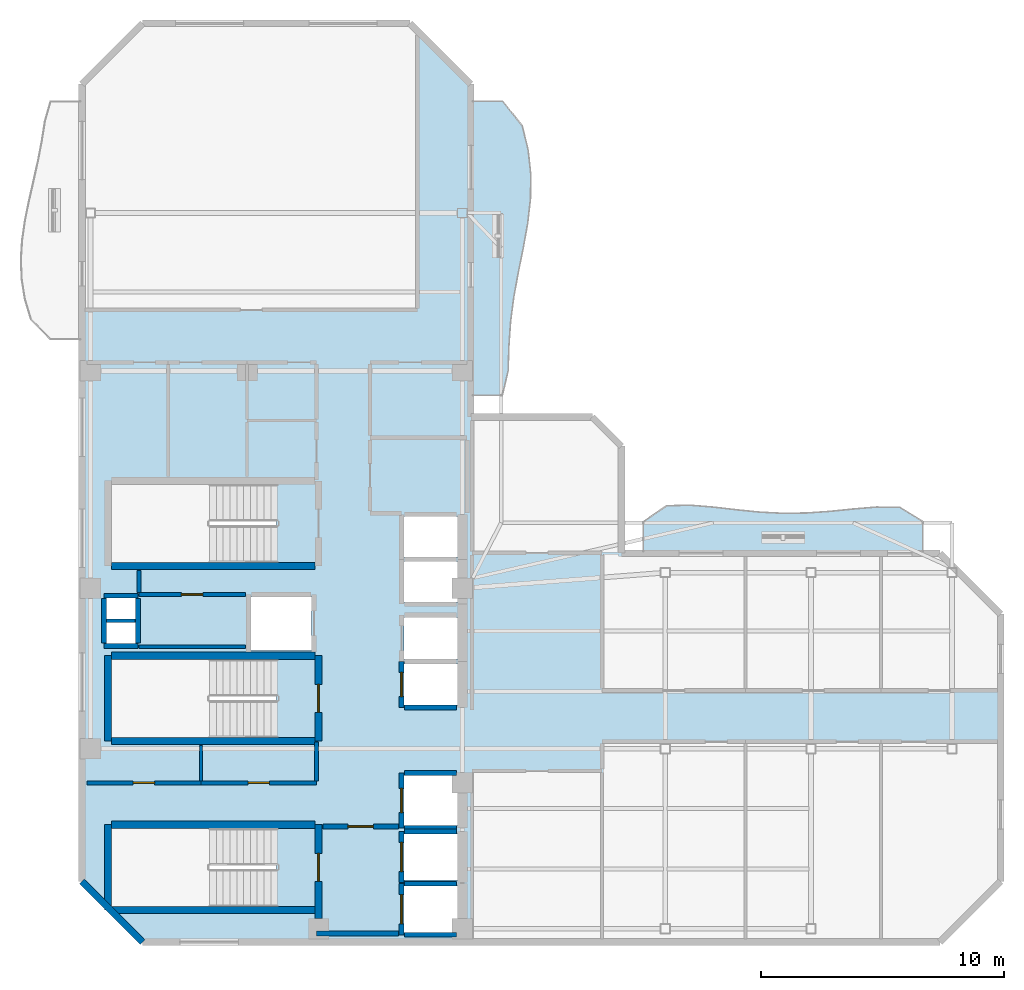
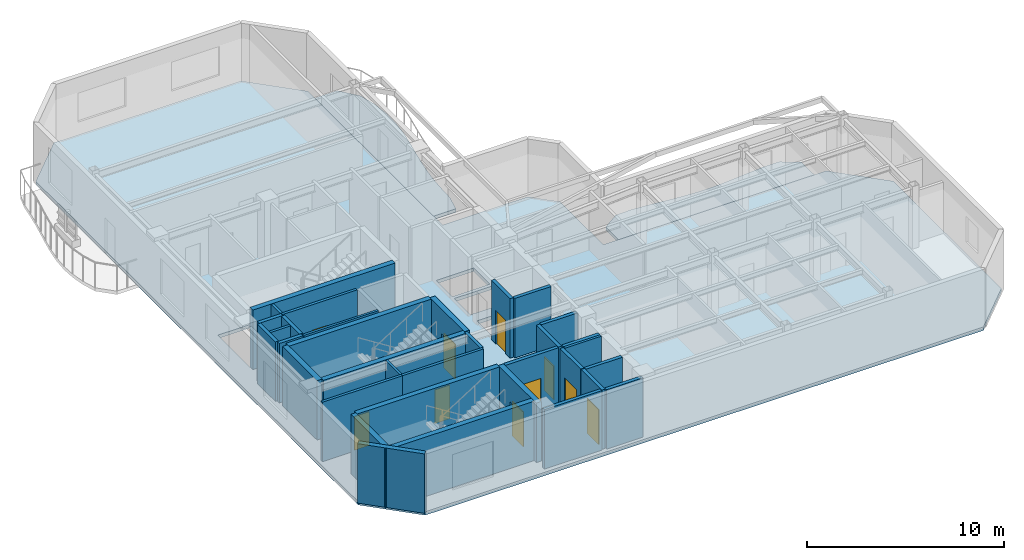
# One storey, part 2 of 7: 34 walls, 10 doors, 3 slabs, 10 openings.
"""IFC4 building model written with IfcOpenShell, lengths in metres."""

from ifc_helpers import new_model, si_unit, direction, frame, frame_2d, origin, place, context, subcontext, project, spatial, polyline, rectangle, outline, extrude, material, layer, layer_set, type_object, element, fill, save


model = new_model("IFC4")

# Units and contexts
model_context = context("Model", 3, precision=1e-05, world=origin(), true_north=direction((0.0, 1.0)))
body_context = subcontext(model_context, "Body", "Model", "MODEL_VIEW")
ifc_project = project(units=[si_unit("LENGTHUNIT", "METRE"), si_unit("AREAUNIT", "SQUARE_METRE"), si_unit("VOLUMEUNIT", "CUBIC_METRE"), si_unit("PLANEANGLEUNIT", "RADIAN"), si_unit("MASSUNIT", "GRAM", prefix="KILO")], contexts=[model_context])

# Site, building, storey
site_placement = place(None, origin())
site = spatial("IfcSite", under=ifc_project, at=site_placement, CompositionType="ELEMENT")
building_placement = place(site_placement, origin())
building = spatial("IfcBuilding", under=site, at=building_placement, Name="Mawjaban Terraces University", CompositionType="ELEMENT")
storey_placement = place(building_placement, frame((0.0, 0.0, 287.199951171875)))
storey = spatial("IfcBuildingStorey", under=building, at=storey_placement, Name="L70", CompositionType="ELEMENT", Elevation=287.199951171875)

# Slabs
ifc_material_1 = material(Name="Concrete C40/50", Category="concrete")
ifc_layer_1 = layer(ifc_material_1, 0.2099609375)
ifc_layer_set_1 = layer_set([ifc_layer_1], Name="Concrete C40/50")
slab_type_1 = type_object("IfcSlabType", Name="BalconySlab_210_Ext", PredefinedType="FLOOR", material=ifc_layer_set_1)
slab_1_placement = place(storey_placement, frame((0.0, 0.0, -0.2099609375)))
element("IfcSlab", 1, at=slab_1_placement, inside=storey, type_object=slab_type_1, Name="L70 Planted Balcony Slab inner_north", PredefinedType="FLOOR", context=body_context, shape_type="SweptSolid", body=[
    extrude(outline(polyline([(45.10009765625, 15.989990234375), (56.60009765625, 15.989990234375), (56.60009765625, 17.300048828125), (55.64208984375, 17.89208984375), (54.68310546875, 17.89697265625), (53.72509765625, 17.81689453125), (52.76708984375, 17.719970703125), (51.80810546875, 17.653076171875), (50.85009765625, 17.639892578125), (49.89208984375, 17.68896484375), (48.93310546875, 17.784912109375), (47.97509765625, 17.89599609375), (47.01708984375, 17.97509765625), (46.05810546875, 17.950927734375), (45.10009765625, 17.300048828125), (45.10009765625, 15.989990234375)])), origin(), (0.0, 0.0, 1.0), 0.2099609375),
])
slab_2_placement = place(storey_placement, frame((0.0, 0.0, -0.2099609375)))
element("IfcSlab", 2, at=slab_2_placement, inside=storey, type_object=slab_type_1, Name="L70 Planted Balcony Slab inner_east", PredefinedType="FLOOR", context=body_context, shape_type="SweptSolid", body=[
    extrude(outline(polyline([(39.300048828125, 22.5), (39.533935546875, 23.508056640625), (39.56494140625, 24.51708984375), (39.635009765625, 25.52490234375), (39.76611328125, 26.532958984375), (39.949951171875, 27.5419921875), (40.154052734375, 28.550048828125), (40.3359375, 29.55810546875), (40.451904296875, 30.56689453125), (40.467041015625, 31.574951171875), (40.35888671875, 32.5830078125), (40.113037109375, 33.592041015625), (39.300048828125, 34.60009765625), (37.989990234375, 34.60009765625), (37.989990234375, 22.5), (39.300048828125, 22.5)])), origin(), (0.0, 0.0, 1.0), 0.2099609375),
])
ifc_layer_2 = layer(ifc_material_1, 0.2099609375)
ifc_layer_set_2 = layer_set([ifc_layer_2], Name="Concrete C40/50")
slab_type_2 = type_object("IfcSlabType", Name="CompositeSlab_210", PredefinedType="FLOOR", material=ifc_layer_set_2)
slab_3_placement = place(storey_placement, frame((0.0, 0.0, -0.2099609375)))
element("IfcSlab", 3, at=slab_3_placement, inside=storey, type_object=slab_type_2, Name="L70 Primary Structural Slab", PredefinedType="FLOOR", context=body_context, shape_type="SweptSolid", body=[
    extrude(outline(polyline([(24.5, 0.0), (57.300048828125, 0.0), (59.800048828125, 2.5), (59.800048828125, 13.5), (57.300048828125, 16.0), (44.199951171875, 16.0), (44.199951171875, 20.39990234375), (43.0, 21.60009765625), (38.0, 21.60009765625), (38.0, 35.300048828125), (35.5, 37.800048828125), (24.5, 37.800048828125), (22.0, 35.300048828125), (22.0, 2.5), (24.5, 0.0)]), holes=[polyline([(30.014892578125, 4.699951171875), (23.199951171875, 4.699951171875), (23.199951171875, 1.449951171875), (30.014892578125, 1.449951171875), (30.014892578125, 4.699951171875)]), polyline([(30.014892578125, 18.85009765625), (23.199951171875, 18.85009765625), (23.199951171875, 15.60009765625), (30.014892578125, 15.60009765625), (30.014892578125, 18.85009765625)]), polyline([(30.014892578125, 11.64990234375), (23.199951171875, 11.64990234375), (23.199951171875, 8.39990234375), (30.014892578125, 8.39990234375), (30.014892578125, 11.64990234375)]), polyline([(35.25, 0.39990234375), (37.449951171875, 0.39990234375), (37.449951171875, 2.300048828125), (35.25, 2.300048828125), (35.25, 0.39990234375)]), polyline([(35.25, 2.550048828125), (37.449951171875, 2.550048828125), (37.449951171875, 4.449951171875), (35.25, 4.449951171875), (35.25, 2.550048828125)]), polyline([(35.25, 4.800048828125), (37.449951171875, 4.800048828125), (37.449951171875, 6.85009765625), (35.25, 6.85009765625), (35.25, 4.800048828125)]), polyline([(35.25, 9.75), (37.449951171875, 9.75), (37.449951171875, 11.449951171875), (35.25, 11.449951171875), (35.25, 9.75)]), polyline([(35.25, 11.64990234375), (37.449951171875, 11.64990234375), (37.449951171875, 13.35009765625), (35.25, 13.35009765625), (35.25, 11.64990234375)]), polyline([(28.949951171875, 12.0), (31.449951171875, 12.0), (31.449951171875, 14.199951171875), (28.949951171875, 14.199951171875), (28.949951171875, 12.0)]), polyline([(35.25, 14.0), (37.449951171875, 14.0), (37.449951171875, 15.64990234375), (35.25, 15.64990234375), (35.25, 14.0)]), polyline([(35.25, 15.85009765625), (37.449951171875, 15.85009765625), (37.449951171875, 17.5), (35.25, 17.5), (35.25, 15.85009765625)]), polyline([(23.0, 12.25), (24.199951171875, 12.25), (24.199951171875, 13.14990234375), (23.0, 13.14990234375), (23.0, 12.25)]), polyline([(23.0, 13.300048828125), (24.199951171875, 13.300048828125), (24.199951171875, 14.179931640625), (23.0, 14.179931640625), (23.0, 13.300048828125)])]), origin(), (0.0, 0.0, 1.0), 0.2099609375),
])

# Wall, opening, door
ifc_material_2 = material(Name="Fire-rated gypsum board on steel stud", Category="steel")
ifc_layer_3 = layer(ifc_material_2, 0.159912109375)
ifc_layer_set_3 = layer_set([ifc_layer_3], Name="Fire-rated gypsum board on steel stud")
wall_type_1 = type_object("IfcWallType", Name="CorridorPartition_160", PredefinedType="PARTITIONING", material=ifc_layer_set_3)
wall_1_placement = place(storey_placement, frame((24.35009765625, 14.300048828125, 0.0), z_axis=(0.0, 0.0, 1.0), x_axis=(1.0, 0.0, 0.0)))
wall_1 = element("IfcWall", 4, at=wall_1_placement, inside=storey, type_object=wall_type_1, Name="L70 Core Riser Access Passage Partition 2", PredefinedType="PARTITIONING", context=body_context, shape_type="SweptSolid", body=[
    extrude(rectangle(XDim=4.369873046875, YDim=0.159912109375, at=frame_2d((2.18505859375, 0.0))), origin(), (0.0, 0.0, 1.0), 3.68994140625),
])
opening_1_placement = place(wall_1_placement, frame((1.7451171875, 0.0, 0.0)))
opening_1 = element("IfcOpeningElement", 5, at=opening_1_placement, cuts=wall_1, Name="Opening ID-088", PredefinedType="OPENING", context=body_context, shape_type="SweptSolid", body=[
    extrude(rectangle(XDim=0.8798828125, YDim=2.10009765625, at=frame_2d((0.43994140625, 1.050048828125))), frame((0.0, 0.08984375, 0.0), z_axis=(0.0, -1.0, 0.0), x_axis=(1.0, 0.0, 0.0)), (0.0, 0.0, 1.0), 0.179931640625),
])
ifc_material_3 = material(Name="Powder-coated steel frame and solid acoustic timber leaf", Category="steel")
door_type_1 = type_object("IfcDoorType", Name="ToiletDoor_880x2100", OperationType="NOTDEFINED", PredefinedType="DOOR", material=ifc_material_3)
door_1_placement = place(opening_1_placement, origin())
door_1 = element("IfcDoor", 6, at=door_1_placement, inside=storey, type_object=door_type_1, Name="L70 Ablution Room Door", OperationType="SINGLE_SWING_RIGHT", OverallHeight=2.10009765625, OverallWidth=0.8798828125, PredefinedType="DOOR", context=body_context, shape_type="SweptSolid", body=[
    extrude(rectangle(XDim=0.8798828125, YDim=2.10009765625, at=frame_2d((0.43994140625, 1.050048828125))), frame((0.0, 0.02490234375, 0.0), z_axis=(0.0, -1.0, 0.0), x_axis=(1.0, 0.0, 0.0)), (0.0, 0.0, 1.0), 0.050048828125),
])
fill(opening_1, door_1)

wall_2_placement = place(storey_placement, frame((26.89990234375, 6.550048828125, 0.0), z_axis=(0.0, 0.0, 1.0), x_axis=(-1.0, 0.0, 0.0)))
wall_2 = element("IfcWall", 7, at=wall_2_placement, inside=storey, type_object=wall_type_1, Name="L70 Core Washroom Lobby Partition 4", PredefinedType="PARTITIONING", context=body_context, shape_type="SweptSolid", body=[
    extrude(rectangle(XDim=4.699951171875, YDim=0.159912109375, at=frame_2d((2.35009765625, 0.0))), origin(), (0.0, 0.0, 1.0), 3.68994140625),
])
opening_2_placement = place(wall_2_placement, frame((1.909912109375, 0.0, 0.0)))
opening_2 = element("IfcOpeningElement", 8, at=opening_2_placement, cuts=wall_2, Name="Opening ID-088", PredefinedType="OPENING", context=body_context, shape_type="SweptSolid", body=[
    extrude(rectangle(XDim=0.8798828125, YDim=2.10009765625, at=frame_2d((0.43994140625, 1.050048828125))), frame((0.0, 0.08984375, 0.0), z_axis=(0.0, -1.0, 0.0), x_axis=(1.0, 0.0, 0.0)), (0.0, 0.0, 1.0), 0.179931640625),
])
door_2_placement = place(opening_2_placement, origin())
door_2 = element("IfcDoor", 9, at=door_2_placement, inside=storey, type_object=door_type_1, Name="L70 Male Toilet Door", OperationType="SINGLE_SWING_RIGHT", OverallHeight=2.10009765625, OverallWidth=0.8798828125, PredefinedType="DOOR", context=body_context, shape_type="SweptSolid", body=[
    extrude(rectangle(XDim=0.8798828125, YDim=2.10009765625, at=frame_2d((0.43994140625, 1.050048828125))), frame((0.0, 0.02490234375, 0.0), z_axis=(0.0, -1.0, 0.0), x_axis=(1.0, 0.0, 0.0)), (0.0, 0.0, 1.0), 0.050048828125),
])
fill(opening_2, door_2)

wall_3_placement = place(storey_placement, frame((31.64990234375, 6.550048828125, 0.0), z_axis=(0.0, 0.0, 1.0), x_axis=(-1.0, 0.0, 0.0)))
wall_3 = element("IfcWall", 10, at=wall_3_placement, inside=storey, type_object=wall_type_1, Name="L70 Core Washroom Lobby Partition 7", PredefinedType="PARTITIONING", context=body_context, shape_type="SweptSolid", body=[
    extrude(rectangle(XDim=4.75, YDim=0.159912109375, at=frame_2d((2.375, 0.0))), origin(), (0.0, 0.0, 1.0), 3.68994140625),
])
opening_3_placement = place(wall_3_placement, frame((1.93505859375, 0.0, 0.0)))
opening_3 = element("IfcOpeningElement", 11, at=opening_3_placement, cuts=wall_3, Name="Opening ID-088", PredefinedType="OPENING", context=body_context, shape_type="SweptSolid", body=[
    extrude(rectangle(XDim=0.8798828125, YDim=2.10009765625, at=frame_2d((0.43994140625, 1.050048828125))), frame((0.0, 0.08984375, 0.0), z_axis=(0.0, -1.0, 0.0), x_axis=(1.0, 0.0, 0.0)), (0.0, 0.0, 1.0), 0.179931640625),
])
door_3_placement = place(opening_3_placement, origin())
door_3 = element("IfcDoor", 12, at=door_3_placement, inside=storey, type_object=door_type_1, Name="L70 Accessible Toilet Door", OperationType="SINGLE_SWING_LEFT", OverallHeight=2.10009765625, OverallWidth=0.8798828125, PredefinedType="DOOR", context=body_context, shape_type="SweptSolid", body=[
    extrude(rectangle(XDim=0.8798828125, YDim=2.10009765625, at=frame_2d((0.43994140625, 1.050048828125))), frame((0.0, 0.02490234375, 0.0), z_axis=(0.0, -1.0, 0.0), x_axis=(1.0, 0.0, 0.0)), (0.0, 0.0, 1.0), 0.050048828125),
])
fill(opening_3, door_3)

# Walls
wall_4_placement = place(storey_placement, frame((24.35009765625, 15.2900390625, 0.0), z_axis=(0.0, 0.0, 1.0), x_axis=(0.0, -1.0, 0.0)))
element("IfcWall", 13, at=wall_4_placement, inside=storey, type_object=wall_type_1, Name="L70 Core Riser Access Passage Partition 23", PredefinedType="PARTITIONING", context=body_context, shape_type="SweptSolid", body=[
    extrude(rectangle(XDim=0.9150390625, YDim=0.159912109375, at=frame_2d((0.45751953125, 0.0))), origin(), (0.0, 0.0, 1.0), 3.68994140625),
])
wall_5_placement = place(storey_placement, frame((31.64990234375, 8.239990234375, 0.0), z_axis=(0.0, 0.0, 1.0), x_axis=(0.0, -1.0, 0.0)))
element("IfcWall", 14, at=wall_5_placement, inside=storey, type_object=wall_type_1, Name="L70 High-Rise Lift Lobby Partition 28", PredefinedType="PARTITIONING", context=body_context, shape_type="SweptSolid", body=[
    extrude(rectangle(XDim=1.614990234375, YDim=0.159912109375, at=frame_2d((0.8076171875, 0.0))), origin(), (0.0, 0.0, 1.0), 3.68994140625),
])
ifc_material_4 = material(Name="Insulated terracotta rainscreen on concrete backup C40/50", Category="masonry")
ifc_layer_4 = layer(ifc_material_4, 0.27490234375)
ifc_layer_set_4 = layer_set([ifc_layer_4], Name="Insulated terracotta rainscreen on concrete backup C40/50")
wall_type_2 = type_object("IfcWallType", Name="ExtTerracottaWall_275", PredefinedType="SOLIDWALL", material=ifc_layer_set_4)
wall_6_placement = place(storey_placement, frame((22.0, 2.5, 0.0), z_axis=(0.0, 0.0, 1.0), x_axis=(0.707106781187, -0.707106781187, 0.0)))
element("IfcWall", 15, at=wall_6_placement, inside=storey, type_object=wall_type_2, Name="L70 Exterior Terracotta Wall 14", PredefinedType="SOLIDWALL", context=body_context, shape_type="SweptSolid", body=[
    extrude(rectangle(XDim=3.53564453125, YDim=0.27490234375, at=frame_2d((1.767822265625, 0.0))), origin(), (0.0, 0.0, 1.0), 3.68994140625),
])

# Wall, opening, door
ifc_layer_5 = layer(ifc_material_1, 0.199951171875)
ifc_layer_set_5 = layer_set([ifc_layer_5], Name="Concrete C40/50")
wall_type_3 = type_object("IfcWallType", Name="FireLobbyWall_200", PredefinedType="SOLIDWALL", material=ifc_layer_set_5)
wall_7_placement = place(storey_placement, frame((35.14990234375, 2.39990234375, 0.0), z_axis=(0.0, 0.0, 1.0), x_axis=(0.0, -1.0, 0.0)))
wall_7 = element("IfcWall", 16, at=wall_7_placement, inside=storey, type_object=wall_type_3, Name="L70 Lift FL-1 Hoistway Wall West", PredefinedType="SOLIDWALL", context=body_context, shape_type="SweptSolid", body=[
    extrude(rectangle(XDim=2.099853515625, YDim=0.199951171875, at=frame_2d((1.0498046875, 0.0))), origin(), (0.0, 0.0, 1.0), 3.68994140625),
])
opening_4_placement = place(wall_7_placement, frame((0.449951171875, 0.0, 0.0)))
opening_4 = element("IfcOpeningElement", 17, at=opening_4_placement, cuts=wall_7, Name="Opening LD-FL-1", PredefinedType="OPENING", context=body_context, shape_type="SweptSolid", body=[
    extrude(rectangle(XDim=1.199951171875, YDim=2.14990234375, at=frame_2d((0.60009765625, 1.074951171875))), frame((0.0, 0.10986328125, 0.0), z_axis=(0.0, -1.0, 0.0), x_axis=(1.0, 0.0, 0.0)), (0.0, 0.0, 1.0), 0.219970703125),
])
ifc_material_5 = material(Name="Powder-coated steel frame and fire-rated steel-faced leaf", Category="steel")
door_type_2 = type_object("IfcDoorType", Name="LiftLandingFSAE_1200x2150", OperationType="NOTDEFINED", PredefinedType="DOOR", material=ifc_material_5)
door_4_placement = place(opening_4_placement, origin())
door_4 = element("IfcDoor", 18, at=door_4_placement, inside=storey, type_object=door_type_2, Name="L70 Lift FL-1 Sliding Landing Door", OperationType="DOUBLE_DOOR_SLIDING", OverallHeight=2.14990234375, OverallWidth=1.199951171875, PredefinedType="DOOR", context=body_context, shape_type="SweptSolid", body=[
    extrude(rectangle(XDim=1.199951171875, YDim=2.14990234375, at=frame_2d((0.60009765625, 1.074951171875))), frame((0.0, 0.02490234375, 0.0), z_axis=(0.0, -1.0, 0.0), x_axis=(1.0, 0.0, 0.0)), (0.0, 0.0, 1.0), 0.050048828125),
])
fill(opening_4, door_4)

# Walls
for number, where, z_axis, x_axis, name in (
    (19, (35.280029296875, 0.300048828125, 0.0), (0.0, 0.0, 1.0), (1.0, 0.0, 0.0), "L70 Lift FL-1 Hoistway Wall South"),
    (20, (37.419921875, 2.39990234375, 0.0), (0.0, 0.0, 1.0), (-1.0, 0.0, 0.0), "L70 Lift FL-1 Hoistway Wall North"),
):
    element("IfcWall", number, at=place(storey_placement, frame(where, z_axis=z_axis, x_axis=x_axis)), inside=storey, type_object=wall_type_3, Name=name, PredefinedType="SOLIDWALL", context=body_context, shape_type="SweptSolid", body=[
        extrude(rectangle(XDim=2.139892578125, YDim=0.199951171875, at=frame_2d((1.06982421875, 0.0))), origin(), (0.0, 0.0, 1.0), 3.68994140625),
    ])

# Wall, opening, door
wall_8_placement = place(storey_placement, frame((35.14990234375, 4.550048828125, 0.0), z_axis=(0.0, 0.0, 1.0), x_axis=(0.0, -1.0, 0.0)))
wall_8 = element("IfcWall", 21, at=wall_8_placement, inside=storey, type_object=wall_type_3, Name="L70 Lift FL-2 Hoistway Wall West", PredefinedType="SOLIDWALL", context=body_context, shape_type="SweptSolid", body=[
    extrude(rectangle(XDim=2.10009765625, YDim=0.199951171875, at=frame_2d((1.050048828125, 0.0))), origin(), (0.0, 0.0, 1.0), 3.68994140625),
])
opening_5_placement = place(wall_8_placement, frame((0.449951171875, 0.0, 0.0)))
opening_5 = element("IfcOpeningElement", 22, at=opening_5_placement, cuts=wall_8, Name="Opening LD-FL-2", PredefinedType="OPENING", context=body_context, shape_type="SweptSolid", body=[
    extrude(rectangle(XDim=1.199951171875, YDim=2.14990234375, at=frame_2d((0.60009765625, 1.074951171875))), frame((0.0, 0.10986328125, 0.0), z_axis=(0.0, -1.0, 0.0), x_axis=(1.0, 0.0, 0.0)), (0.0, 0.0, 1.0), 0.219970703125),
])
door_5_placement = place(opening_5_placement, origin())
door_5 = element("IfcDoor", 23, at=door_5_placement, inside=storey, type_object=door_type_2, Name="L70 Lift FL-2 Sliding Landing Door", OperationType="DOUBLE_DOOR_SLIDING", OverallHeight=2.14990234375, OverallWidth=1.199951171875, PredefinedType="DOOR", context=body_context, shape_type="SweptSolid", body=[
    extrude(rectangle(XDim=1.199951171875, YDim=2.14990234375, at=frame_2d((0.60009765625, 1.074951171875))), frame((0.0, 0.02490234375, 0.0), z_axis=(0.0, -1.0, 0.0), x_axis=(1.0, 0.0, 0.0)), (0.0, 0.0, 1.0), 0.050048828125),
])
fill(opening_5, door_5)

# Wall
wall_9_placement = place(storey_placement, frame((37.419921875, 4.550048828125, 0.0), z_axis=(0.0, 0.0, 1.0), x_axis=(-1.0, 0.0, 0.0)))
element("IfcWall", 24, at=wall_9_placement, inside=storey, type_object=wall_type_3, Name="L70 Lift FL-2 Hoistway Wall North", PredefinedType="SOLIDWALL", context=body_context, shape_type="SweptSolid", body=[
    extrude(rectangle(XDim=2.139892578125, YDim=0.199951171875, at=frame_2d((1.06982421875, 0.0))), origin(), (0.0, 0.0, 1.0), 3.68994140625),
])

# Wall, opening, door
wall_10_placement = place(storey_placement, frame((35.14990234375, 6.949951171875, 0.0), z_axis=(0.0, 0.0, 1.0), x_axis=(0.0, -1.0, 0.0)))
wall_10 = element("IfcWall", 25, at=wall_10_placement, inside=storey, type_object=wall_type_3, Name="L70 Lift SL-1 Hoistway Wall West", PredefinedType="SOLIDWALL", context=body_context, shape_type="SweptSolid", body=[
    extrude(rectangle(XDim=2.25, YDim=0.199951171875, at=frame_2d((1.125, 0.0))), origin(), (0.0, 0.0, 1.0), 3.68994140625),
])
opening_6_placement = place(wall_10_placement, frame((0.625, 0.0, 0.0)))
opening_6 = element("IfcOpeningElement", 26, at=opening_6_placement, cuts=wall_10, Name="Opening LD-SL-1", PredefinedType="OPENING", context=body_context, shape_type="SweptSolid", body=[
    extrude(rectangle(XDim=1.0, YDim=2.10009765625, at=frame_2d((0.5, 1.050048828125))), frame((0.0, 0.10986328125, 0.0), z_axis=(0.0, -1.0, 0.0), x_axis=(1.0, 0.0, 0.0)), (0.0, 0.0, 1.0), 0.219970703125),
])
door_type_3 = type_object("IfcDoorType", Name="LiftLandingSliding_1000x2100", OperationType="NOTDEFINED", PredefinedType="DOOR", material=ifc_material_5)
door_6_placement = place(opening_6_placement, origin())
door_6 = element("IfcDoor", 27, at=door_6_placement, inside=storey, type_object=door_type_3, Name="L70 Lift SL-1 Sliding Landing Door", OperationType="DOUBLE_DOOR_SLIDING", OverallHeight=2.10009765625, OverallWidth=1.0, PredefinedType="DOOR", context=body_context, shape_type="SweptSolid", body=[
    extrude(rectangle(XDim=1.0, YDim=2.10009765625, at=frame_2d((0.5, 1.050048828125))), frame((0.0, 0.02490234375, 0.0), z_axis=(0.0, -1.0, 0.0), x_axis=(1.0, 0.0, 0.0)), (0.0, 0.0, 1.0), 0.050048828125),
])
fill(opening_6, door_6)

# Walls
for number, where, z_axis, x_axis, name in (
    (28, (35.280029296875, 4.699951171875, 0.0), (0.0, 0.0, 1.0), (1.0, 0.0, 0.0), "L70 Lift SL-1 Hoistway Wall South"),
    (29, (37.419921875, 6.949951171875, 0.0), (0.0, 0.0, 1.0), (-1.0, 0.0, 0.0), "L70 Lift SL-1 Hoistway Wall North"),
):
    element("IfcWall", number, at=place(storey_placement, frame(where, z_axis=z_axis, x_axis=x_axis)), inside=storey, type_object=wall_type_3, Name=name, PredefinedType="SOLIDWALL", context=body_context, shape_type="SweptSolid", body=[
        extrude(rectangle(XDim=2.139892578125, YDim=0.199951171875, at=frame_2d((1.06982421875, 0.0))), origin(), (0.0, 0.0, 1.0), 3.68994140625),
    ])

# Wall, opening, door
wall_11_placement = place(storey_placement, frame((35.14990234375, 11.550048828125, 0.0), z_axis=(0.0, 0.0, 1.0), x_axis=(0.0, -1.0, 0.0)))
wall_11 = element("IfcWall", 30, at=wall_11_placement, inside=storey, type_object=wall_type_3, Name="L70 Lift PL-H1 Hoistway Wall West", PredefinedType="SOLIDWALL", context=body_context, shape_type="SweptSolid", body=[
    extrude(rectangle(XDim=1.900146484375, YDim=0.199951171875, at=frame_2d((0.9501953125, 0.0))), origin(), (0.0, 0.0, 1.0), 3.68994140625),
])
opening_7_placement = place(wall_11_placement, frame((0.449951171875, 0.0, 0.0)))
opening_7 = element("IfcOpeningElement", 31, at=opening_7_placement, cuts=wall_11, Name="Opening LD-PL-H1", PredefinedType="OPENING", context=body_context, shape_type="SweptSolid", body=[
    extrude(rectangle(XDim=1.0, YDim=2.10009765625, at=frame_2d((0.5, 1.050048828125))), frame((0.0, 0.10986328125, 0.0), z_axis=(0.0, -1.0, 0.0), x_axis=(1.0, 0.0, 0.0)), (0.0, 0.0, 1.0), 0.219970703125),
])
door_7_placement = place(opening_7_placement, origin())
door_7 = element("IfcDoor", 32, at=door_7_placement, inside=storey, type_object=door_type_3, Name="L70 Lift PL-H1 Sliding Landing Door", OperationType="DOUBLE_DOOR_SLIDING", OverallHeight=2.10009765625, OverallWidth=1.0, PredefinedType="DOOR", context=body_context, shape_type="SweptSolid", body=[
    extrude(rectangle(XDim=1.0, YDim=2.10009765625, at=frame_2d((0.5, 1.050048828125))), frame((0.0, 0.02490234375, 0.0), z_axis=(0.0, -1.0, 0.0), x_axis=(1.0, 0.0, 0.0)), (0.0, 0.0, 1.0), 0.050048828125),
])
fill(opening_7, door_7)

# Walls
wall_12_placement = place(storey_placement, frame((35.280029296875, 9.64990234375, 0.0), z_axis=(0.0, 0.0, 1.0), x_axis=(1.0, 0.0, 0.0)))
element("IfcWall", 33, at=wall_12_placement, inside=storey, type_object=wall_type_3, Name="L70 Lift PL-H1 Hoistway Wall South", PredefinedType="SOLIDWALL", context=body_context, shape_type="SweptSolid", body=[
    extrude(rectangle(XDim=2.139892578125, YDim=0.199951171875, at=frame_2d((1.06982421875, 0.0))), origin(), (0.0, 0.0, 1.0), 3.68994140625),
])
for number, where, z_axis, x_axis, name in (
    (34, (22.89990234375, 14.25, 0.0), (0.0, 0.0, 1.0), (1.0, 0.0, 0.0), "L70 MEP Riser Shaft Wall N"),
    (35, (22.89990234375, 12.179931640625, 0.0), (0.0, 0.0, 1.0), (1.0, 0.0, 0.0), "L70 MEP Riser Shaft Wall S"),
):
    element("IfcWall", number, at=place(storey_placement, frame(where, z_axis=z_axis, x_axis=x_axis)), inside=storey, type_object=wall_type_3, Name=name, PredefinedType="SOLIDWALL", context=body_context, shape_type="SweptSolid", body=[
        extrude(rectangle(XDim=1.400146484375, YDim=0.199951171875, at=frame_2d((0.7001953125, 0.0))), origin(), (0.0, 0.0, 1.0), 3.68994140625),
    ])
for number, where, z_axis, x_axis, name in (
    (36, (24.300048828125, 12.300048828125, 0.0), (0.0, 0.0, 1.0), (0.0, 1.0, 0.0), "L70 MEP Riser Shaft Wall E"),
    (37, (22.89990234375, 12.300048828125, 0.0), (0.0, 0.0, 1.0), (0.0, 1.0, 0.0), "L70 MEP Riser Shaft Wall W"),
):
    element("IfcWall", number, at=place(storey_placement, frame(where, z_axis=z_axis, x_axis=x_axis)), inside=storey, type_object=wall_type_3, Name=name, PredefinedType="SOLIDWALL", context=body_context, shape_type="SweptSolid", body=[
        extrude(rectangle(XDim=1.829833984375, YDim=0.199951171875, at=frame_2d((0.9150390625, 0.0))), origin(), (0.0, 0.0, 1.0), 3.68994140625),
    ])
wall_13_placement = place(storey_placement, frame((31.64990234375, 0.35009765625, 0.0), z_axis=(0.0, 0.0, 1.0), x_axis=(1.0, 0.0, 0.0)))
element("IfcWall", 38, at=wall_13_placement, inside=storey, type_object=wall_type_3, Name="L70 Firefighting Lift Lobby Partition 6", PredefinedType="SOLIDWALL", context=body_context, shape_type="SweptSolid", body=[
    extrude(rectangle(XDim=3.3701171875, YDim=0.199951171875, at=frame_2d((1.68505859375, 0.0))), origin(), (0.0, 0.0, 1.0), 3.68994140625),
])

# Wall, opening, door
wall_14_placement = place(storey_placement, frame((35.02001953125, 4.75, 0.0), z_axis=(0.0, 0.0, 1.0), x_axis=(-1.0, 0.0, 0.0)))
wall_14 = element("IfcWall", 39, at=wall_14_placement, inside=storey, type_object=wall_type_3, Name="L70 Firefighting Lift Lobby Partition 11", PredefinedType="SOLIDWALL", context=body_context, shape_type="SweptSolid", body=[
    extrude(rectangle(XDim=3.110107421875, YDim=0.199951171875, at=frame_2d((1.55517578125, 0.0))), origin(), (0.0, 0.0, 1.0), 3.68994140625),
])
opening_8_placement = place(wall_14_placement, frame((1.030029296875, 0.0, 0.0)))
opening_8 = element("IfcOpeningElement", 40, at=opening_8_placement, cuts=wall_14, Name="Opening FD-105", PredefinedType="OPENING", context=body_context, shape_type="SweptSolid", body=[
    extrude(rectangle(XDim=1.050048828125, YDim=2.14990234375, at=frame_2d((0.52490234375, 1.074951171875))), frame((0.0, 0.10986328125, 0.0), z_axis=(0.0, -1.0, 0.0), x_axis=(1.0, 0.0, 0.0)), (0.0, 0.0, 1.0), 0.219970703125),
])
door_type_4 = type_object("IfcDoorType", Name="FireLobbyDoor_1050x2150", OperationType="NOTDEFINED", PredefinedType="DOOR", material=ifc_material_5)
door_8_placement = place(opening_8_placement, origin())
door_8 = element("IfcDoor", 41, at=door_8_placement, inside=storey, type_object=door_type_4, Name="L70 Firefighting Lift Lobby Door", OperationType="SINGLE_SWING_LEFT", OverallHeight=2.14990234375, OverallWidth=1.050048828125, PredefinedType="DOOR", context=body_context, shape_type="SweptSolid", body=[
    extrude(rectangle(XDim=1.050048828125, YDim=2.14990234375, at=frame_2d((0.52490234375, 1.074951171875))), frame((0.0, 0.02490234375, 0.0), z_axis=(0.0, -1.0, 0.0), x_axis=(1.0, 0.0, 0.0)), (0.0, 0.0, 1.0), 0.050048828125),
])
fill(opening_8, door_8)

# Walls
ifc_material_6 = material(Name="Moisture-resistant gypsum board on steel stud", Category="steel")
ifc_layer_6 = layer(ifc_material_6, 0.14501953125)
ifc_layer_set_6 = layer_set([ifc_layer_6], Name="Moisture-resistant gypsum board on steel stud")
wall_type_4 = type_object("IfcWallType", Name="LabPartition_145", PredefinedType="PARTITIONING", material=ifc_layer_set_6)
wall_15_placement = place(storey_placement, frame((23.010009765625, 13.22509765625, 0.0), z_axis=(0.0, 0.0, 1.0), x_axis=(1.0, 0.0, 0.0)))
element("IfcWall", 42, at=wall_15_placement, inside=storey, type_object=wall_type_4, Name="L70 MEP Riser Shaft Wall M", PredefinedType="PARTITIONING", context=body_context, shape_type="SweptSolid", body=[
    extrude(rectangle(XDim=1.179931640625, YDim=0.14501953125, at=frame_2d((0.58984375, 0.0))), origin(), (0.0, 0.0, 1.0), 3.68994140625),
])
ifc_material_7 = material(Name="Concrete C60/75", Category="concrete")
ifc_layer_7 = layer(ifc_material_7, 0.300048828125)
ifc_layer_set_7 = layer_set([ifc_layer_7], Name="Concrete C60/75")
wall_type_5 = type_object("IfcWallType", Name="StairShaftWall_300", PredefinedType="SHEAR", material=ifc_layer_set_7)
wall_16_placement = place(storey_placement, frame((31.580078125, 4.830078125, 0.0), z_axis=(0.0, 0.0, 1.0), x_axis=(-1.0, 0.0, 0.0)))
element("IfcWall", 43, at=wall_16_placement, inside=storey, type_object=wall_type_5, Name="L70 ST-1 Stair Shaft Wall 1", PredefinedType="SHEAR", context=body_context, shape_type="SweptSolid", body=[
    extrude(rectangle(XDim=8.360107421875, YDim=0.300048828125, at=frame_2d((4.18017578125, 0.0))), origin(), (0.0, 0.0, 1.0), 3.68994140625),
])
wall_17_placement = place(storey_placement, frame((23.070068359375, 4.830078125, 0.0), z_axis=(0.0, 0.0, 1.0), x_axis=(0.0, -1.0, 0.0)))
element("IfcWall", 44, at=wall_17_placement, inside=storey, type_object=wall_type_5, Name="L70 ST-1 Stair Shaft Wall 2", PredefinedType="SHEAR", context=body_context, shape_type="SweptSolid", body=[
    extrude(rectangle(XDim=3.510009765625, YDim=0.300048828125, at=frame_2d((1.7548828125, 0.0))), origin(), (0.0, 0.0, 1.0), 3.68994140625),
])
wall_18_placement = place(storey_placement, frame((23.219970703125, 1.320068359375, 0.0), z_axis=(0.0, 0.0, 1.0), x_axis=(1.0, 0.0, 0.0)))
element("IfcWall", 45, at=wall_18_placement, inside=storey, type_object=wall_type_5, Name="L70 ST-1 Stair Shaft Wall 3", PredefinedType="SHEAR", context=body_context, shape_type="SweptSolid", body=[
    extrude(rectangle(XDim=8.360107421875, YDim=0.300048828125, at=frame_2d((4.18017578125, 0.0))), origin(), (0.0, 0.0, 1.0), 3.68994140625),
])

# Wall, opening, door
wall_19_placement = place(storey_placement, frame((31.72998046875, 0.9599609375, 0.0), z_axis=(0.0, 0.0, 1.0), x_axis=(0.0, 1.0, 0.0)))
wall_19 = element("IfcWall", 46, at=wall_19_placement, inside=storey, type_object=wall_type_5, Name="L70 ST-1 Stair Shaft Wall 4", PredefinedType="SHEAR", context=body_context, shape_type="SweptSolid", body=[
    extrude(rectangle(XDim=3.8701171875, YDim=0.300048828125, at=frame_2d((1.93505859375, 0.0))), origin(), (0.0, 0.0, 1.0), 3.68994140625),
])
opening_9_placement = place(wall_19_placement, frame((1.5400390625, 0.0, 0.0)))
opening_9 = element("IfcOpeningElement", 47, at=opening_9_placement, cuts=wall_19, Name="Opening FD-115", PredefinedType="OPENING", context=body_context, shape_type="SweptSolid", body=[
    extrude(rectangle(XDim=1.14990234375, YDim=2.14990234375, at=frame_2d((0.574951171875, 1.074951171875))), frame((0.0, 0.159912109375, 0.0), z_axis=(0.0, -1.0, 0.0), x_axis=(1.0, 0.0, 0.0)), (0.0, 0.0, 1.0), 0.320068359375),
])
door_type_5 = type_object("IfcDoorType", Name="FireStairDoor_1150x2150", OperationType="NOTDEFINED", PredefinedType="DOOR", material=ifc_material_5)
door_9_placement = place(opening_9_placement, origin())
door_9 = element("IfcDoor", 48, at=door_9_placement, inside=storey, type_object=door_type_5, Name="L70 ST-1 Pressurised Stair Fire Door", OperationType="SINGLE_SWING_RIGHT", OverallHeight=2.14990234375, OverallWidth=1.14990234375, PredefinedType="DOOR", context=body_context, shape_type="SweptSolid", body=[
    extrude(rectangle(XDim=1.14990234375, YDim=2.14990234375, at=frame_2d((0.574951171875, 1.074951171875))), frame((0.0, 0.02490234375, 0.0), z_axis=(0.0, -1.0, 0.0), x_axis=(1.0, 0.0, 0.0)), (0.0, 0.0, 1.0), 0.050048828125),
])
fill(opening_9, door_9)

# Walls
for number, where, z_axis, x_axis, name in (
    (49, (23.219970703125, 15.469970703125, 0.0), (0.0, 0.0, 1.0), (1.0, 0.0, 0.0), "L70 ST-2 Stair Shaft Wall 3"),
    (50, (31.580078125, 11.780029296875, 0.0), (0.0, 0.0, 1.0), (-1.0, 0.0, 0.0), "L70 ST-3 Stair Shaft Wall 1"),
):
    element("IfcWall", number, at=place(storey_placement, frame(where, z_axis=z_axis, x_axis=x_axis)), inside=storey, type_object=wall_type_5, Name=name, PredefinedType="SHEAR", context=body_context, shape_type="SweptSolid", body=[
        extrude(rectangle(XDim=8.360107421875, YDim=0.300048828125, at=frame_2d((4.18017578125, 0.0))), origin(), (0.0, 0.0, 1.0), 3.68994140625),
    ])
wall_20_placement = place(storey_placement, frame((23.070068359375, 11.780029296875, 0.0), z_axis=(0.0, 0.0, 1.0), x_axis=(0.0, -1.0, 0.0)))
element("IfcWall", 51, at=wall_20_placement, inside=storey, type_object=wall_type_5, Name="L70 ST-3 Stair Shaft Wall 2", PredefinedType="SHEAR", context=body_context, shape_type="SweptSolid", body=[
    extrude(rectangle(XDim=3.510009765625, YDim=0.300048828125, at=frame_2d((1.7548828125, 0.0))), origin(), (0.0, 0.0, 1.0), 3.68994140625),
])
wall_21_placement = place(storey_placement, frame((23.219970703125, 8.27001953125, 0.0), z_axis=(0.0, 0.0, 1.0), x_axis=(1.0, 0.0, 0.0)))
element("IfcWall", 52, at=wall_21_placement, inside=storey, type_object=wall_type_5, Name="L70 ST-3 Stair Shaft Wall 3", PredefinedType="SHEAR", context=body_context, shape_type="SweptSolid", body=[
    extrude(rectangle(XDim=8.360107421875, YDim=0.300048828125, at=frame_2d((4.18017578125, 0.0))), origin(), (0.0, 0.0, 1.0), 3.68994140625),
])

# Wall, opening, door
wall_22_placement = place(storey_placement, frame((31.72998046875, 8.27001953125, 0.0), z_axis=(0.0, 0.0, 1.0), x_axis=(0.0, 1.0, 0.0)))
wall_22 = element("IfcWall", 53, at=wall_22_placement, inside=storey, type_object=wall_type_5, Name="L70 ST-3 Stair Shaft Wall 4", PredefinedType="SHEAR", context=body_context, shape_type="SweptSolid", body=[
    extrude(rectangle(XDim=3.510009765625, YDim=0.300048828125, at=frame_2d((1.7548828125, 0.0))), origin(), (0.0, 0.0, 1.0), 3.68994140625),
])
opening_10_placement = place(wall_22_placement, frame((1.179931640625, 0.0, 0.0)))
opening_10 = element("IfcOpeningElement", 54, at=opening_10_placement, cuts=wall_22, Name="Opening FD-115", PredefinedType="OPENING", context=body_context, shape_type="SweptSolid", body=[
    extrude(rectangle(XDim=1.14990234375, YDim=2.14990234375, at=frame_2d((0.574951171875, 1.074951171875))), frame((0.0, 0.159912109375, 0.0), z_axis=(0.0, -1.0, 0.0), x_axis=(1.0, 0.0, 0.0)), (0.0, 0.0, 1.0), 0.320068359375),
])
door_10_placement = place(opening_10_placement, origin())
door_10 = element("IfcDoor", 55, at=door_10_placement, inside=storey, type_object=door_type_5, Name="L70 ST-3 Pressurised Stair Fire Door", OperationType="SINGLE_SWING_RIGHT", OverallHeight=2.14990234375, OverallWidth=1.14990234375, PredefinedType="DOOR", context=body_context, shape_type="SweptSolid", body=[
    extrude(rectangle(XDim=1.14990234375, YDim=2.14990234375, at=frame_2d((0.574951171875, 1.074951171875))), frame((0.0, 0.02490234375, 0.0), z_axis=(0.0, -1.0, 0.0), x_axis=(1.0, 0.0, 0.0)), (0.0, 0.0, 1.0), 0.050048828125),
])
fill(opening_10, door_10)

# Walls
ifc_material_8 = material(Name="Cement-board wet-room partition", Category="masonry")
ifc_layer_8 = layer(ifc_material_8, 0.135009765625)
ifc_layer_set_8 = layer_set([ifc_layer_8], Name="Cement-board wet-room partition")
wall_type_6 = type_object("IfcWallType", Name="WetRoomPartition_135", PredefinedType="PARTITIONING", material=ifc_layer_set_8)
wall_23_placement = place(storey_placement, frame((24.35009765625, 12.14990234375, 0.0), z_axis=(0.0, 0.0, 1.0), x_axis=(1.0, 0.0, 0.0)))
element("IfcWall", 56, at=wall_23_placement, inside=storey, type_object=wall_type_6, Name="L70 Ablution Room Partition 1", PredefinedType="PARTITIONING", context=body_context, shape_type="SweptSolid", body=[
    extrude(rectangle(XDim=4.369873046875, YDim=0.135009765625, at=frame_2d((2.18505859375, 0.0))), origin(), (0.0, 0.0, 1.0), 3.68994140625),
])
wall_24_placement = place(storey_placement, frame((26.89990234375, 6.625, 0.0), z_axis=(0.0, 0.0, 1.0), x_axis=(0.0, 1.0, 0.0)))
element("IfcWall", 57, at=wall_24_placement, inside=storey, type_object=wall_type_6, Name="L70 Male Toilet Partition 25", PredefinedType="PARTITIONING", context=body_context, shape_type="SweptSolid", body=[
    extrude(rectangle(XDim=1.465087890625, YDim=0.135009765625, at=frame_2d((0.732421875, 0.0))), origin(), (0.0, 0.0, 1.0), 3.68994140625),
])

save(model, "model.ifc")
